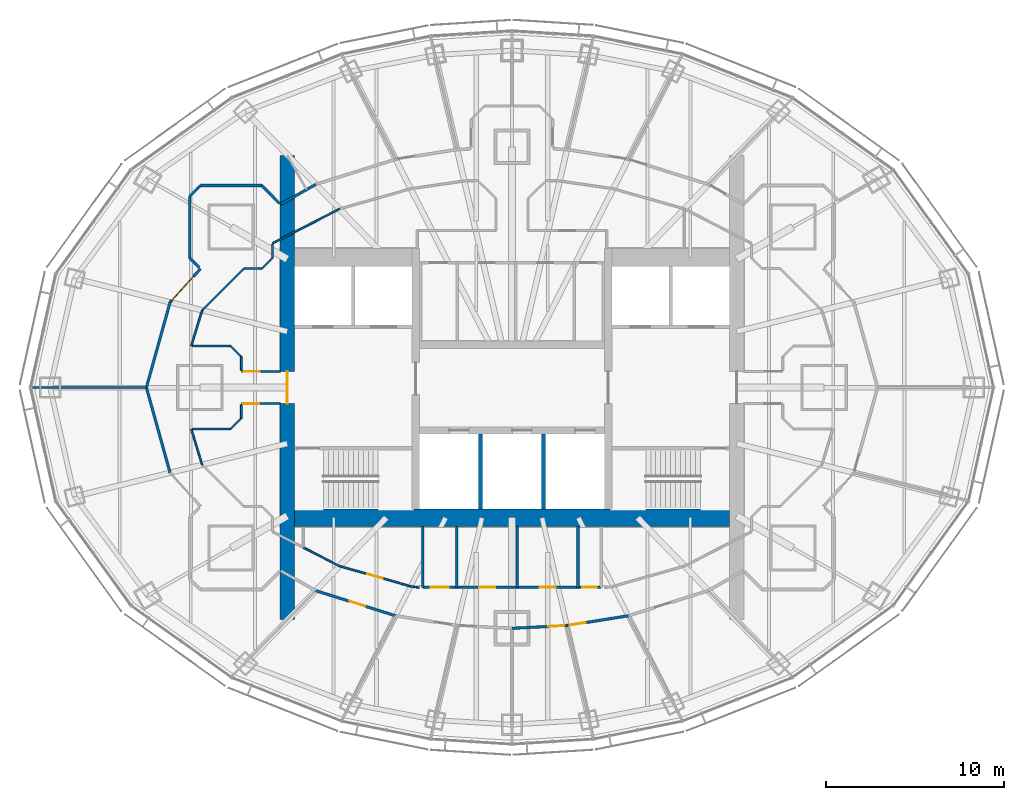
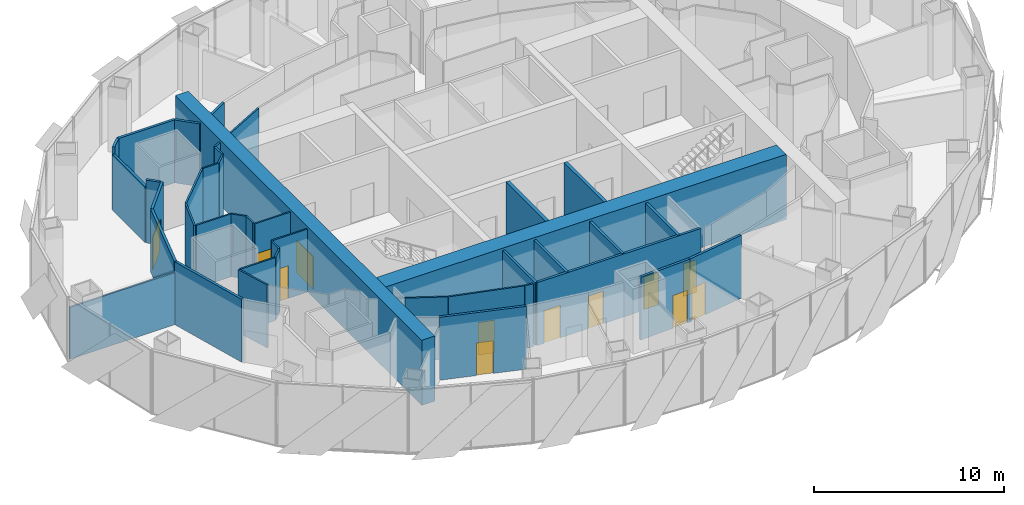
# One storey, part 12 of 18: 40 walls, 12 doors, 12 openings.
"""IFC4 building model written with IfcOpenShell, lengths in metres."""

from ifc_helpers import new_model, si_unit, direction, frame, frame_2d, origin, place, context, subcontext, project, spatial, rectangle, extrude, material, layer, layer_set, type_object, element, fill, save


model = new_model("IFC4")

# Units and contexts
model_context = context("Model", 3, precision=1e-05, world=origin(), true_north=direction((0.0, 1.0)))
body_context = subcontext(model_context, "Body", "Model", "MODEL_VIEW")
ifc_project = project(units=[si_unit("LENGTHUNIT", "METRE"), si_unit("AREAUNIT", "SQUARE_METRE"), si_unit("VOLUMEUNIT", "CUBIC_METRE"), si_unit("PLANEANGLEUNIT", "RADIAN"), si_unit("MASSUNIT", "GRAM", prefix="KILO")], contexts=[model_context])

# Site, building, storey
site_placement = place(None, origin())
site = spatial("IfcSite", under=ifc_project, at=site_placement, CompositionType="ELEMENT")
building_placement = place(site_placement, origin())
building = spatial("IfcBuilding", under=site, at=building_placement, Name="Lantaw Convention Tower", CompositionType="ELEMENT")
storey_placement = place(building_placement, frame((0.0, 0.0, 228.39990234375)))
storey = spatial("IfcBuildingStorey", under=building, at=storey_placement, Name="L53", CompositionType="ELEMENT", Elevation=228.39990234375)

# Wall
ifc_material_1 = material(Name="Concrete C60/75", Category="concrete")
ifc_layer_1 = layer(ifc_material_1, 1.0)
ifc_layer_set_1 = layer_set([ifc_layer_1], Name="Core wall 1000")
wall_type_1 = type_object("IfcWallType", Name="Core wall 1000", PredefinedType="SHEAR", material=ifc_layer_set_1)
wall_1_placement = place(storey_placement, frame((-12.199951171875, -7.300048828125, 0.0), z_axis=(0.0, 0.0, 1.0), x_axis=(1.0, 0.0, 0.0)))
element("IfcWall", 1, at=wall_1_placement, inside=storey, type_object=wall_type_1, Name="Core wall S", PredefinedType="SHEAR", context=body_context, shape_type="SweptSolid", body=[
    extrude(rectangle(XDim=24.39990234375, YDim=1.0, at=frame_2d((12.199951171875, 0.0))), origin(), (0.0, 0.0, 1.0), 4.2001953125),
])

# Wall, opening, door
ifc_layer_2 = layer(ifc_material_1, 0.800048828125)
ifc_layer_set_2 = layer_set([ifc_layer_2], Name="Core wall 800")
wall_type_2 = type_object("IfcWallType", Name="Core wall 800", PredefinedType="SHEAR", material=ifc_layer_set_2)
wall_2_placement = place(storey_placement, frame((-12.60009765625, 13.0, 0.0), z_axis=(0.0, 0.0, 1.0), x_axis=(0.0, -1.0, 0.0)))
wall_2 = element("IfcWall", 2, at=wall_2_placement, inside=storey, type_object=wall_type_2, Name="Core wall W", PredefinedType="SHEAR", context=body_context, shape_type="SweptSolid", body=[
    extrude(rectangle(XDim=26.0, YDim=0.800048828125, at=frame_2d((13.0, 0.0))), origin(), (0.0, 0.0, 1.0), 4.2001953125),
])
opening_1_placement = place(wall_2_placement, frame((12.10009765625, 0.0, 0.0)))
opening_1 = element("IfcOpeningElement", 3, at=opening_1_placement, cuts=wall_2, Name="Opening L53.06", PredefinedType="OPENING", context=body_context, shape_type="SweptSolid", body=[
    extrude(rectangle(XDim=1.800048828125, YDim=2.10009765625, at=frame_2d((0.89990234375, 1.050048828125))), frame((0.0, 0.409912109375, 0.0), z_axis=(0.0, -1.0, 0.0), x_axis=(1.0, 0.0, 0.0)), (0.0, 0.0, 1.0), 0.820068359375),
])
ifc_material_2 = material(Name="Steel, fire rated", Category="steel")
door_type_1 = type_object("IfcDoorType", Name="Lobby double door FD90", OperationType="DOUBLE_DOOR_DOUBLE_SWING", PredefinedType="DOOR", material=ifc_material_2)
door_1_placement = place(opening_1_placement, origin())
door_1 = element("IfcDoor", 4, at=door_1_placement, inside=storey, type_object=door_type_1, Name="Firefighting lobby door", OperationType="DOUBLE_DOOR_DOUBLE_SWING", OverallHeight=2.10009765625, OverallWidth=1.800048828125, PredefinedType="DOOR", context=body_context, shape_type="SweptSolid", body=[
    extrude(rectangle(XDim=1.800048828125, YDim=2.10009765625, at=frame_2d((0.89990234375, 1.050048828125))), frame((0.0, 0.02490234375, 0.0), z_axis=(0.0, -1.0, 0.0), x_axis=(1.0, 0.0, 0.0)), (0.0, 0.0, 1.0), 0.050048828125),
])
fill(opening_1, door_1)

# Walls
ifc_material_3 = material(Name="Gypsum board on steel studs, fire rated", Category="steel")
ifc_layer_3 = layer(ifc_material_3, 0.14990234375)
ifc_layer_set_3 = layer_set([ifc_layer_3], Name="Corridor wall 150 EI 60")
wall_type_3 = type_object("IfcWallType", Name="Corridor wall 150 EI 60", PredefinedType="PARTITIONING", material=ifc_layer_set_3)
for number, where, z_axis, x_axis, name in (
    (5, (-19.171875, 4.780029296875, 0.0), (0.0, 0.0, 1.0), (-0.26770731566, -0.963500281859, 0.0), "Corridor wall 150"),
    (6, (-20.5, 0.0, 0.0), (0.0, 0.0, 1.0), (0.26770731566, -0.963500281859, 0.0), "Corridor wall 150"),
):
    element("IfcWall", number, at=place(storey_placement, frame(where, z_axis=z_axis, x_axis=x_axis)), inside=storey, type_object=wall_type_3, Name=name, PredefinedType="PARTITIONING", context=body_context, shape_type="SweptSolid", body=[
        extrude(rectangle(XDim=4.961181640625, YDim=0.14990234375, at=frame_2d((2.48046875, 0.0))), origin(), (0.0, 0.0, 1.0), 4.050048828125),
    ])

# Wall, opening, door
wall_3_placement = place(storey_placement, frame((-11.000732421875, -11.3916015625, 0.0), z_axis=(0.0, 0.0, 1.0), x_axis=(0.954031103669, -0.299707612903, 0.0)))
wall_3 = element("IfcWall", 7, at=wall_3_placement, inside=storey, type_object=wall_type_3, Name="Corridor wall 150", PredefinedType="PARTITIONING", context=body_context, shape_type="SweptSolid", body=[
    extrude(rectangle(XDim=4.6953125, YDim=0.14990234375, at=frame_2d((2.34765625, 0.0))), origin(), (0.0, 0.0, 1.0), 4.050048828125),
])
opening_2_placement = place(wall_3_placement, frame((2.00048828125, 0.0, 0.0)))
opening_2 = element("IfcOpeningElement", 8, at=opening_2_placement, cuts=wall_3, Name="Opening L53.37", PredefinedType="OPENING", context=body_context, shape_type="SweptSolid", body=[
    extrude(rectangle(XDim=0.89990234375, YDim=2.10009765625, at=frame_2d((0.449951171875, 1.050048828125))), frame((0.0, 0.0849609375, 0.0), z_axis=(0.0, -1.0, 0.0), x_axis=(1.0, 0.0, 0.0)), (0.0, 0.0, 1.0), 0.169921875),
])
door_type_2 = type_object("IfcDoorType", Name="Office door 900 FD30", OperationType="SINGLE_SWING_LEFT", PredefinedType="DOOR", material=ifc_material_2)
door_2_placement = place(opening_2_placement, origin())
door_2 = element("IfcDoor", 9, at=door_2_placement, inside=storey, type_object=door_type_2, Name="Private office door", OperationType="SINGLE_SWING_LEFT", OverallHeight=2.10009765625, OverallWidth=0.89990234375, PredefinedType="DOOR", context=body_context, shape_type="SweptSolid", body=[
    extrude(rectangle(XDim=0.89990234375, YDim=2.10009765625, at=frame_2d((0.449951171875, 1.050048828125))), frame((0.0, 0.02490234375, 0.0), z_axis=(0.0, -1.0, 0.0), x_axis=(1.0, 0.0, 0.0)), (0.0, 0.0, 1.0), 0.050048828125),
])
fill(opening_2, door_2)

wall_4_placement = place(storey_placement, frame((0.0, -13.5, 0.0), z_axis=(0.0, 0.0, 1.0), x_axis=(0.99876434787, 0.049696855278, 0.0)))
wall_4 = element("IfcWall", 10, at=wall_4_placement, inside=storey, type_object=wall_type_3, Name="Corridor wall 150", PredefinedType="PARTITIONING", context=body_context, shape_type="SweptSolid", body=[
    extrude(rectangle(XDim=3.085205078125, YDim=0.14990234375, at=frame_2d((1.54248046875, 0.0))), origin(), (0.0, 0.0, 1.0), 4.050048828125),
])
opening_3_placement = place(wall_4_placement, frame((2.03515625, 0.0, 0.0)))
opening_3 = element("IfcOpeningElement", 11, at=opening_3_placement, cuts=wall_4, Name="Opening L53.40", PredefinedType="OPENING", context=body_context, shape_type="SweptSolid", body=[
    extrude(rectangle(XDim=0.89990234375, YDim=2.10009765625, at=frame_2d((0.449951171875, 1.050048828125))), frame((0.0, 0.0849609375, 0.0), z_axis=(0.0, -1.0, 0.0), x_axis=(1.0, 0.0, 0.0)), (0.0, 0.0, 1.0), 0.169921875),
])
door_3_placement = place(opening_3_placement, origin())
door_3 = element("IfcDoor", 12, at=door_3_placement, inside=storey, type_object=door_type_2, Name="Private office door", OperationType="SINGLE_SWING_LEFT", OverallHeight=2.10009765625, OverallWidth=0.89990234375, PredefinedType="DOOR", context=body_context, shape_type="SweptSolid", body=[
    extrude(rectangle(XDim=0.89990234375, YDim=2.10009765625, at=frame_2d((0.449951171875, 1.050048828125))), frame((0.0, 0.02490234375, 0.0), z_axis=(0.0, -1.0, 0.0), x_axis=(1.0, 0.0, 0.0)), (0.0, 0.0, 1.0), 0.050048828125),
])
fill(opening_3, door_3)

wall_5_placement = place(storey_placement, frame((3.081298828125, -13.3466796875, 0.0), z_axis=(0.0, 0.0, 1.0), x_axis=(0.987554093087, 0.157279729233, 0.0)))
wall_5 = element("IfcWall", 13, at=wall_5_placement, inside=storey, type_object=wall_type_3, Name="Corridor wall 150", PredefinedType="PARTITIONING", context=body_context, shape_type="SweptSolid", body=[
    extrude(rectangle(XDim=3.4833984375, YDim=0.14990234375, at=frame_2d((1.74169921875, 0.0))), origin(), (0.0, 0.0, 1.0), 4.050048828125),
])
opening_4_placement = place(wall_5_placement, frame((0.14990234375, 0.0, 0.0)))
opening_4 = element("IfcOpeningElement", 14, at=opening_4_placement, cuts=wall_5, Name="Opening L53.41", PredefinedType="OPENING", context=body_context, shape_type="SweptSolid", body=[
    extrude(rectangle(XDim=0.89990234375, YDim=2.10009765625, at=frame_2d((0.449951171875, 1.050048828125))), frame((0.0, 0.0849609375, 0.0), z_axis=(0.0, -1.0, 0.0), x_axis=(1.0, 0.0, 0.0)), (0.0, 0.0, 1.0), 0.169921875),
])
door_4_placement = place(opening_4_placement, origin())
door_4 = element("IfcDoor", 15, at=door_4_placement, inside=storey, type_object=door_type_2, Name="Private office door", OperationType="SINGLE_SWING_LEFT", OverallHeight=2.10009765625, OverallWidth=0.89990234375, PredefinedType="DOOR", context=body_context, shape_type="SweptSolid", body=[
    extrude(rectangle(XDim=0.89990234375, YDim=2.10009765625, at=frame_2d((0.449951171875, 1.050048828125))), frame((0.0, 0.02490234375, 0.0), z_axis=(0.0, -1.0, 0.0), x_axis=(1.0, 0.0, 0.0)), (0.0, 0.0, 1.0), 0.050048828125),
])
fill(opening_4, door_4)

# Wall
wall_6_placement = place(storey_placement, frame((-11.000732421875, 11.3916015625, 0.0), z_axis=(0.0, 0.0, 1.0), x_axis=(-0.869722107117, -0.493541747366, 0.0)))
element("IfcWall", 16, at=wall_6_placement, inside=storey, type_object=wall_type_3, Name="Corridor wall 150", PredefinedType="PARTITIONING", context=body_context, shape_type="SweptSolid", body=[
    extrude(rectangle(XDim=2.26953125, YDim=0.14990234375, at=frame_2d((1.134765625, 0.0))), origin(), (0.0, 0.0, 1.0), 4.050048828125),
])

# Wall, opening, door
wall_7_placement = place(storey_placement, frame((-17.462646484375, 6.6650390625, 0.0), z_axis=(0.0, 0.0, 1.0), x_axis=(-0.671721890643, -0.74080341632, 0.0)))
wall_7 = element("IfcWall", 17, at=wall_7_placement, inside=storey, type_object=wall_type_3, Name="Corridor wall 150", PredefinedType="PARTITIONING", context=body_context, shape_type="SweptSolid", body=[
    extrude(rectangle(XDim=2.54443359375, YDim=0.14990234375, at=frame_2d((1.272216796875, 0.0))), origin(), (0.0, 0.0, 1.0), 4.050048828125),
])
opening_5_placement = place(wall_7_placement, frame((0.60009765625, 0.0, 0.0)))
opening_5 = element("IfcOpeningElement", 18, at=opening_5_placement, cuts=wall_7, Name="Opening L53.35", PredefinedType="OPENING", context=body_context, shape_type="SweptSolid", body=[
    extrude(rectangle(XDim=1.800048828125, YDim=2.10009765625, at=frame_2d((0.89990234375, 1.050048828125))), frame((0.0, 0.0849609375, 0.0), z_axis=(0.0, -1.0, 0.0), x_axis=(1.0, 0.0, 0.0)), (0.0, 0.0, 1.0), 0.169921875),
])
door_type_3 = type_object("IfcDoorType", Name="Office double door 1800 FD30", OperationType="DOUBLE_DOOR_DOUBLE_SWING", PredefinedType="DOOR", material=ifc_material_2)
door_5_placement = place(opening_5_placement, origin())
door_5 = element("IfcDoor", 19, at=door_5_placement, inside=storey, type_object=door_type_3, Name="Open office door", OperationType="DOUBLE_DOOR_DOUBLE_SWING", OverallHeight=2.10009765625, OverallWidth=1.800048828125, PredefinedType="DOOR", context=body_context, shape_type="SweptSolid", body=[
    extrude(rectangle(XDim=1.800048828125, YDim=2.10009765625, at=frame_2d((0.89990234375, 1.050048828125))), frame((0.0, 0.02490234375, 0.0), z_axis=(0.0, -1.0, 0.0), x_axis=(1.0, 0.0, 0.0)), (0.0, 0.0, 1.0), 0.050048828125),
])
fill(opening_5, door_5)

# Walls
wall_8_placement = place(storey_placement, frame((-18.074951171875, 10.724609375, 0.0), z_axis=(0.0, 0.0, 1.0), x_axis=(0.707106781187, 0.707106781187, 0.0)))
element("IfcWall", 20, at=wall_8_placement, inside=storey, type_object=wall_type_3, Name="Corridor wall 150", PredefinedType="PARTITIONING", context=body_context, shape_type="SweptSolid", body=[
    extrude(rectangle(XDim=0.84912109375, YDim=0.14990234375, at=frame_2d((0.424560546875, 0.0))), origin(), (0.0, 0.0, 1.0), 4.050048828125),
])
wall_9_placement = place(storey_placement, frame((-17.474609375, 11.324951171875, 0.0), z_axis=(0.0, 0.0, 1.0), x_axis=(1.0, 0.0, 0.0)))
element("IfcWall", 21, at=wall_9_placement, inside=storey, type_object=wall_type_3, Name="Corridor wall 150", PredefinedType="PARTITIONING", context=body_context, shape_type="SweptSolid", body=[
    extrude(rectangle(XDim=3.44921875, YDim=0.14990234375, at=frame_2d((1.724609375, 0.0))), origin(), (0.0, 0.0, 1.0), 4.050048828125),
])
wall_10_placement = place(storey_placement, frame((-14.025390625, 11.324951171875, 0.0), z_axis=(0.0, 0.0, 1.0), x_axis=(0.701113567316, -0.713049623606, 0.0)))
element("IfcWall", 22, at=wall_10_placement, inside=storey, type_object=wall_type_3, Name="Corridor wall 150", PredefinedType="PARTITIONING", context=body_context, shape_type="SweptSolid", body=[
    extrude(rectangle(XDim=1.411376953125, YDim=0.14990234375, at=frame_2d((0.70556640625, 0.0))), origin(), (0.0, 0.0, 1.0), 4.050048828125),
])
wall_11_placement = place(storey_placement, frame((-17.537841796875, 6.73828125, 0.0), z_axis=(0.0, 0.0, 1.0), x_axis=(-0.707106781187, 0.707106781187, 0.0)))
element("IfcWall", 23, at=wall_11_placement, inside=storey, type_object=wall_type_3, Name="Corridor wall 150", PredefinedType="PARTITIONING", context=body_context, shape_type="SweptSolid", body=[
    extrude(rectangle(XDim=0.759521484375, YDim=0.14990234375, at=frame_2d((0.3798828125, 0.0))), origin(), (0.0, 0.0, 1.0), 4.050048828125),
])
wall_12_placement = place(storey_placement, frame((-18.074951171875, 7.275390625, 0.0), z_axis=(0.0, 0.0, 1.0), x_axis=(0.0, 1.0, 0.0)))
element("IfcWall", 24, at=wall_12_placement, inside=storey, type_object=wall_type_3, Name="Corridor wall 150", PredefinedType="PARTITIONING", context=body_context, shape_type="SweptSolid", body=[
    extrude(rectangle(XDim=3.44921875, YDim=0.14990234375, at=frame_2d((1.724609375, 0.0))), origin(), (0.0, 0.0, 1.0), 3.6005859375),
])
ifc_material_4 = material(Name="Gypsum board on steel studs, acoustic", Category="steel")
ifc_layer_4 = layer(ifc_material_4, 0.10009765625)
ifc_layer_set_4 = layer_set([ifc_layer_4], Name="Office partition 100")
wall_type_4 = type_object("IfcWallType", Name="Office partition 100", PredefinedType="PARTITIONING", material=ifc_layer_set_4)
wall_13_placement = place(storey_placement, frame((-26.944091796875, 0.0, 0.0), z_axis=(0.0, 0.0, 1.0), x_axis=(1.0, 0.0, 0.0)))
element("IfcWall", 25, at=wall_13_placement, inside=storey, type_object=wall_type_4, Name="Office partition 100", PredefinedType="PARTITIONING", context=body_context, shape_type="SweptSolid", body=[
    extrude(rectangle(XDim=6.444091796875, YDim=0.10009765625, at=frame_2d((3.22216796875, 0.0))), origin(), (0.0, 0.0, 1.0), 3.34912109375),
])
wall_14_placement = place(storey_placement, frame((-5.199951171875, -11.21630859375, 0.0), z_axis=(0.0, 0.0, 1.0), x_axis=(-0.989797891768, 0.142478536811, 0.0)))
element("IfcWall", 26, at=wall_14_placement, inside=storey, type_object=wall_type_4, Name="Office partition 100", PredefinedType="PARTITIONING", context=body_context, shape_type="SweptSolid", body=[
    extrude(rectangle(XDim=0.48486328125, YDim=0.10009765625, at=frame_2d((0.242431640625, 0.0))), origin(), (0.0, 0.0, 1.0), 4.050048828125),
])

# Wall, opening, door
wall_15_placement = place(storey_placement, frame((-5.679931640625, -11.147216796875, 0.0), z_axis=(0.0, 0.0, 1.0), x_axis=(-0.961973498971, 0.273142796496, 0.0)))
wall_15 = element("IfcWall", 27, at=wall_15_placement, inside=storey, type_object=wall_type_4, Name="Office partition 100", PredefinedType="PARTITIONING", context=body_context, shape_type="SweptSolid", body=[
    extrude(rectangle(XDim=4.148193359375, YDim=0.10009765625, at=frame_2d((2.07421875, 0.0))), origin(), (0.0, 0.0, 1.0), 4.050048828125),
])
opening_6_placement = place(wall_15_placement, frame((1.624267578125, 0.0, 0.0)))
opening_6 = element("IfcOpeningElement", 28, at=opening_6_placement, cuts=wall_15, Name="Opening L53.23", PredefinedType="OPENING", context=body_context, shape_type="SweptSolid", body=[
    extrude(rectangle(XDim=0.89990234375, YDim=2.10009765625, at=frame_2d((0.449951171875, 1.050048828125))), frame((0.0, 0.06005859375, 0.0), z_axis=(0.0, -1.0, 0.0), x_axis=(1.0, 0.0, 0.0)), (0.0, 0.0, 1.0), 0.1201171875),
])
ifc_material_5 = material(Name="Timber", Category="wood")
door_type_4 = type_object("IfcDoorType", Name="Office door 900", OperationType="SINGLE_SWING_LEFT", PredefinedType="DOOR", material=ifc_material_5)
door_6_placement = place(opening_6_placement, origin())
door_6 = element("IfcDoor", 29, at=door_6_placement, inside=storey, type_object=door_type_4, Name="Project room door", OperationType="SINGLE_SWING_LEFT", OverallHeight=2.10009765625, OverallWidth=0.89990234375, PredefinedType="DOOR", context=body_context, shape_type="SweptSolid", body=[
    extrude(rectangle(XDim=0.89990234375, YDim=2.10009765625, at=frame_2d((0.449951171875, 1.050048828125))), frame((0.0, 0.02490234375, 0.0), z_axis=(0.0, -1.0, 0.0), x_axis=(1.0, 0.0, 0.0)), (0.0, 0.0, 1.0), 0.050048828125),
])
fill(opening_6, door_6)

# Walls
wall_16_placement = place(storey_placement, frame((-9.67041015625, -10.01416015625, 0.0), z_axis=(0.0, 0.0, 1.0), x_axis=(-0.889605609385, 0.456729525814, 0.0)))
element("IfcWall", 30, at=wall_16_placement, inside=storey, type_object=wall_type_4, Name="Office partition 100", PredefinedType="PARTITIONING", context=body_context, shape_type="SweptSolid", body=[
    extrude(rectangle(XDim=2.292724609375, YDim=0.10009765625, at=frame_2d((1.146484375, 0.0))), origin(), (0.0, 0.0, 1.0), 4.050048828125),
])
wall_17_placement = place(storey_placement, frame((-17.37158203125, -4.331298828125, 0.0), z_axis=(0.0, 0.0, 1.0), x_axis=(-0.293231279211, 0.956041535129, 0.0)))
element("IfcWall", 31, at=wall_17_placement, inside=storey, type_object=wall_type_4, Name="Office partition 100", PredefinedType="PARTITIONING", context=body_context, shape_type="SweptSolid", body=[
    extrude(rectangle(XDim=2.088134765625, YDim=0.10009765625, at=frame_2d((1.0439453125, 0.0))), origin(), (0.0, 0.0, 1.0), 4.050048828125),
])

# Wall, opening, door
wall_18_placement = place(storey_placement, frame((-15.1650390625, -0.89990234375, 0.0), z_axis=(0.0, 0.0, 1.0), x_axis=(1.0, 0.0, 0.0)))
wall_18 = element("IfcWall", 32, at=wall_18_placement, inside=storey, type_object=wall_type_4, Name="Office partition 100", PredefinedType="PARTITIONING", context=body_context, shape_type="SweptSolid", body=[
    extrude(rectangle(XDim=2.1650390625, YDim=0.10009765625, at=frame_2d((1.08251953125, 0.0))), origin(), (0.0, 0.0, 1.0), 4.050048828125),
])
opening_7_placement = place(wall_18_placement, frame((0.10009765625, 0.0, 0.0)))
opening_7 = element("IfcOpeningElement", 33, at=opening_7_placement, cuts=wall_18, Name="Opening L53.22", PredefinedType="OPENING", context=body_context, shape_type="SweptSolid", body=[
    extrude(rectangle(XDim=0.89990234375, YDim=2.10009765625, at=frame_2d((0.449951171875, 1.050048828125))), frame((0.0, 0.06005859375, 0.0), z_axis=(0.0, -1.0, 0.0), x_axis=(1.0, 0.0, 0.0)), (0.0, 0.0, 1.0), 0.1201171875),
])
door_7_placement = place(opening_7_placement, origin())
door_7 = element("IfcDoor", 34, at=door_7_placement, inside=storey, type_object=door_type_4, Name="Meeting room door", OperationType="SINGLE_SWING_LEFT", OverallHeight=2.10009765625, OverallWidth=0.89990234375, PredefinedType="DOOR", context=body_context, shape_type="SweptSolid", body=[
    extrude(rectangle(XDim=0.89990234375, YDim=2.10009765625, at=frame_2d((0.449951171875, 1.050048828125))), frame((0.0, 0.02490234375, 0.0), z_axis=(0.0, -1.0, 0.0), x_axis=(1.0, 0.0, 0.0)), (0.0, 0.0, 1.0), 0.050048828125),
])
fill(opening_7, door_7)

wall_19_placement = place(storey_placement, frame((-13.0, 0.89990234375, 0.0), z_axis=(0.0, 0.0, 1.0), x_axis=(-1.0, 0.0, 0.0)))
wall_19 = element("IfcWall", 35, at=wall_19_placement, inside=storey, type_object=wall_type_4, Name="Office partition 100", PredefinedType="PARTITIONING", context=body_context, shape_type="SweptSolid", body=[
    extrude(rectangle(XDim=2.1650390625, YDim=0.10009765625, at=frame_2d((1.08251953125, 0.0))), origin(), (0.0, 0.0, 1.0), 4.050048828125),
])
opening_8_placement = place(wall_19_placement, frame((1.14990234375, 0.0, 0.0)))
opening_8 = element("IfcOpeningElement", 36, at=opening_8_placement, cuts=wall_19, Name="Opening L53.27", PredefinedType="OPENING", context=body_context, shape_type="SweptSolid", body=[
    extrude(rectangle(XDim=0.89990234375, YDim=2.10009765625, at=frame_2d((0.449951171875, 1.050048828125))), frame((0.0, 0.06005859375, 0.0), z_axis=(0.0, -1.0, 0.0), x_axis=(1.0, 0.0, 0.0)), (0.0, 0.0, 1.0), 0.1201171875),
])
door_8_placement = place(opening_8_placement, origin())
door_8 = element("IfcDoor", 37, at=door_8_placement, inside=storey, type_object=door_type_4, Name="Project room door", OperationType="SINGLE_SWING_LEFT", OverallHeight=2.10009765625, OverallWidth=0.89990234375, PredefinedType="DOOR", context=body_context, shape_type="SweptSolid", body=[
    extrude(rectangle(XDim=0.89990234375, YDim=2.10009765625, at=frame_2d((0.449951171875, 1.050048828125))), frame((0.0, 0.02490234375, 0.0), z_axis=(0.0, -1.0, 0.0), x_axis=(1.0, 0.0, 0.0)), (0.0, 0.0, 1.0), 0.050048828125),
])
fill(opening_8, door_8)

# Walls
wall_20_placement = place(storey_placement, frame((-17.98388671875, 2.3349609375, 0.0), z_axis=(0.0, 0.0, 1.0), x_axis=(0.293231279211, 0.956041535129, 0.0)))
element("IfcWall", 38, at=wall_20_placement, inside=storey, type_object=wall_type_4, Name="Office partition 100", PredefinedType="PARTITIONING", context=body_context, shape_type="SweptSolid", body=[
    extrude(rectangle(XDim=2.088134765625, YDim=0.10009765625, at=frame_2d((1.0439453125, 0.0))), origin(), (0.0, 0.0, 1.0), 4.050048828125),
])
wall_21_placement = place(storey_placement, frame((-15.175048828125, -0.978271484375, 0.0), z_axis=(0.0, 0.0, 1.0), x_axis=(0.0, -1.0, 0.0)))
element("IfcWall", 39, at=wall_21_placement, inside=storey, type_object=wall_type_4, Name="Office partition 100", PredefinedType="PARTITIONING", context=body_context, shape_type="SweptSolid", body=[
    extrude(rectangle(XDim=0.746337890625, YDim=0.10009765625, at=frame_2d((0.373046875, 0.0))), origin(), (0.0, 0.0, 1.0), 4.050048828125),
])
wall_22_placement = place(storey_placement, frame((-15.175048828125, -1.724609375, 0.0), z_axis=(0.0, 0.0, 1.0), x_axis=(-0.707106781187, -0.707106781187, 0.0)))
element("IfcWall", 40, at=wall_22_placement, inside=storey, type_object=wall_type_4, Name="Office partition 100", PredefinedType="PARTITIONING", context=body_context, shape_type="SweptSolid", body=[
    extrude(rectangle(XDim=0.84912109375, YDim=0.10009765625, at=frame_2d((0.424560546875, 0.0))), origin(), (0.0, 0.0, 1.0), 4.050048828125),
])
for number, where, z_axis, x_axis, name in (
    (41, (-15.775390625, -2.324951171875, 0.0), (0.0, 0.0, 1.0), (-1.0, 0.0, 0.0), "Office partition 100"),
    (42, (-17.903076171875, 2.324951171875, 0.0), (0.0, 0.0, 1.0), (1.0, 0.0, 0.0), "Office partition 100"),
):
    element("IfcWall", number, at=place(storey_placement, frame(where, z_axis=z_axis, x_axis=x_axis)), inside=storey, type_object=wall_type_4, Name=name, PredefinedType="PARTITIONING", context=body_context, shape_type="SweptSolid", body=[
        extrude(rectangle(XDim=2.127685546875, YDim=0.10009765625, at=frame_2d((1.06396484375, 0.0))), origin(), (0.0, 0.0, 1.0), 4.050048828125),
    ])
wall_23_placement = place(storey_placement, frame((-15.775390625, 2.324951171875, 0.0), z_axis=(0.0, 0.0, 1.0), x_axis=(0.707106781187, -0.707106781187, 0.0)))
element("IfcWall", 43, at=wall_23_placement, inside=storey, type_object=wall_type_4, Name="Office partition 100", PredefinedType="PARTITIONING", context=body_context, shape_type="SweptSolid", body=[
    extrude(rectangle(XDim=0.84912109375, YDim=0.10009765625, at=frame_2d((0.424560546875, 0.0))), origin(), (0.0, 0.0, 1.0), 4.050048828125),
])
wall_24_placement = place(storey_placement, frame((-15.175048828125, 1.724609375, 0.0), z_axis=(0.0, 0.0, 1.0), x_axis=(0.0, -1.0, 0.0)))
element("IfcWall", 44, at=wall_24_placement, inside=storey, type_object=wall_type_4, Name="Office partition 100", PredefinedType="PARTITIONING", context=body_context, shape_type="SweptSolid", body=[
    extrude(rectangle(XDim=0.746337890625, YDim=0.10009765625, at=frame_2d((0.373046875, 0.0))), origin(), (0.0, 0.0, 1.0), 4.050048828125),
])
wall_25_placement = place(storey_placement, frame((-17.37158203125, 4.331298828125, 0.0), z_axis=(0.0, 0.0, 1.0), x_axis=(0.707587114823, 0.70662612104, 0.0)))
element("IfcWall", 45, at=wall_25_placement, inside=storey, type_object=wall_type_4, Name="Office partition 100", PredefinedType="PARTITIONING", context=body_context, shape_type="SweptSolid", body=[
    extrude(rectangle(XDim=3.302734375, YDim=0.10009765625, at=frame_2d((1.6513671875, 0.0))), origin(), (0.0, 0.0, 1.0), 4.050048828125),
])
wall_26_placement = place(storey_placement, frame((-13.4150390625, 8.091796875, 0.0), z_axis=(0.0, 0.0, 1.0), x_axis=(0.889620520549, 0.45670048108, 0.0)))
element("IfcWall", 46, at=wall_26_placement, inside=storey, type_object=wall_type_4, Name="Office partition 100", PredefinedType="PARTITIONING", context=body_context, shape_type="SweptSolid", body=[
    extrude(rectangle(XDim=4.209228515625, YDim=0.10009765625, at=frame_2d((2.1044921875, 0.0))), origin(), (0.0, 0.0, 1.0), 4.050048828125),
])
wall_27_placement = place(storey_placement, frame((-13.425048828125, 8.045654296875, 0.0), z_axis=(0.0, 0.0, 1.0), x_axis=(0.0, -1.0, 0.0)))
element("IfcWall", 47, at=wall_27_placement, inside=storey, type_object=wall_type_4, Name="Office partition 100", PredefinedType="PARTITIONING", context=body_context, shape_type="SweptSolid", body=[
    extrude(rectangle(XDim=0.770263671875, YDim=0.10009765625, at=frame_2d((0.38525390625, 0.0))), origin(), (0.0, 0.0, 1.0), 4.050048828125),
])
wall_28_placement = place(storey_placement, frame((-13.425048828125, 7.275390625, 0.0), z_axis=(0.0, 0.0, 1.0), x_axis=(-0.707106781187, -0.707106781187, 0.0)))
element("IfcWall", 48, at=wall_28_placement, inside=storey, type_object=wall_type_4, Name="Office partition 100", PredefinedType="PARTITIONING", context=body_context, shape_type="SweptSolid", body=[
    extrude(rectangle(XDim=0.84912109375, YDim=0.10009765625, at=frame_2d((0.424560546875, 0.0))), origin(), (0.0, 0.0, 1.0), 4.050048828125),
])
wall_29_placement = place(storey_placement, frame((-14.025390625, 6.675048828125, 0.0), z_axis=(0.0, 0.0, 1.0), x_axis=(-1.0, 0.0, 0.0)))
element("IfcWall", 49, at=wall_29_placement, inside=storey, type_object=wall_type_4, Name="Office partition 100", PredefinedType="PARTITIONING", context=body_context, shape_type="SweptSolid", body=[
    extrude(rectangle(XDim=0.976806640625, YDim=0.10009765625, at=frame_2d((0.48828125, 0.0))), origin(), (0.0, 0.0, 1.0), 4.050048828125),
])
ifc_material_6 = material(Name="Concrete blockwork, fire rated", Category="masonry")
ifc_layer_5 = layer(ifc_material_6, 0.199951171875)
ifc_layer_set_5 = layer_set([ifc_layer_5], Name="Shaft wall 200 load-bearing")
wall_type_5 = type_object("IfcWallType", Name="Shaft wall 200 load-bearing", PredefinedType="SOLIDWALL", material=ifc_layer_set_5)
for number, where, z_axis, x_axis, name in (
    (50, (-1.7666015625, -2.60009765625, 0.0), (0.0, 0.0, 1.0), (0.0, -1.0, 0.0), "Shaft wall DS1"),
    (51, (1.7666015625, -2.60009765625, 0.0), (0.0, 0.0, 1.0), (0.0, -1.0, 0.0), "Shaft wall DS2"),
):
    element("IfcWall", number, at=place(storey_placement, frame(where, z_axis=z_axis, x_axis=x_axis)), inside=storey, type_object=wall_type_5, Name=name, PredefinedType="SOLIDWALL", context=body_context, shape_type="SweptSolid", body=[
        extrude(rectangle(XDim=4.199951171875, YDim=0.199951171875, at=frame_2d((2.10009765625, 0.0))), origin(), (0.0, 0.0, 1.0), 4.2001953125),
    ])

# Wall, openings, doors
ifc_material_7 = material(Name="Concrete blockwork", Category="masonry")
ifc_layer_6 = layer(ifc_material_7, 0.14990234375)
ifc_layer_set_6 = layer_set([ifc_layer_6], Name="WC wall 150")
wall_type_6 = type_object("IfcWallType", Name="WC wall 150", PredefinedType="SOLIDWALL", material=ifc_layer_set_6)
wall_30_placement = place(storey_placement, frame((-5.0, -11.199951171875, 0.0), z_axis=(0.0, 0.0, 1.0), x_axis=(1.0, 0.0, 0.0)))
wall_30 = element("IfcWall", 52, at=wall_30_placement, inside=storey, type_object=wall_type_6, Name="WC wall 150", PredefinedType="SOLIDWALL", context=body_context, shape_type="SweptSolid", body=[
    extrude(rectangle(XDim=10.0, YDim=0.14990234375, at=frame_2d((5.0, 0.0))), origin(), (0.0, 0.0, 1.0), 4.050048828125),
])
opening_9_placement = place(wall_30_placement, frame((0.449951171875, 0.0, 0.0)))
opening_9 = element("IfcOpeningElement", 53, at=opening_9_placement, cuts=wall_30, Name="Opening L53.18", PredefinedType="OPENING", context=body_context, shape_type="SweptSolid", body=[
    extrude(rectangle(XDim=1.0, YDim=2.10009765625, at=frame_2d((0.5, 1.050048828125))), frame((0.0, 0.0849609375, 0.0), z_axis=(0.0, -1.0, 0.0), x_axis=(1.0, 0.0, 0.0)), (0.0, 0.0, 1.0), 0.169921875),
])
opening_10_placement = place(wall_30_placement, frame((3.14990234375, 0.0, 0.0)))
opening_10 = element("IfcOpeningElement", 54, at=opening_10_placement, cuts=wall_30, Name="Opening L53.19", PredefinedType="OPENING", context=body_context, shape_type="SweptSolid", body=[
    extrude(rectangle(XDim=0.89990234375, YDim=2.10009765625, at=frame_2d((0.449951171875, 1.050048828125))), frame((0.0, 0.0849609375, 0.0), z_axis=(0.0, -1.0, 0.0), x_axis=(1.0, 0.0, 0.0)), (0.0, 0.0, 1.0), 0.169921875),
])
opening_11_placement = place(wall_30_placement, frame((6.550048828125, 0.0, 0.0)))
opening_11 = element("IfcOpeningElement", 55, at=opening_11_placement, cuts=wall_30, Name="Opening L53.20", PredefinedType="OPENING", context=body_context, shape_type="SweptSolid", body=[
    extrude(rectangle(XDim=0.89990234375, YDim=2.10009765625, at=frame_2d((0.449951171875, 1.050048828125))), frame((0.0, 0.0849609375, 0.0), z_axis=(0.0, -1.0, 0.0), x_axis=(1.0, 0.0, 0.0)), (0.0, 0.0, 1.0), 0.169921875),
])
opening_12_placement = place(wall_30_placement, frame((8.949951171875, 0.0, 0.0)))
opening_12 = element("IfcOpeningElement", 56, at=opening_12_placement, cuts=wall_30, Name="Opening L53.21", PredefinedType="OPENING", context=body_context, shape_type="SweptSolid", body=[
    extrude(rectangle(XDim=0.800048828125, YDim=2.10009765625, at=frame_2d((0.39990234375, 1.050048828125))), frame((0.0, 0.0849609375, 0.0), z_axis=(0.0, -1.0, 0.0), x_axis=(1.0, 0.0, 0.0)), (0.0, 0.0, 1.0), 0.169921875),
])
door_type_5 = type_object("IfcDoorType", Name="Accessible WC door 1000", OperationType="SINGLE_SWING_LEFT", PredefinedType="DOOR", material=ifc_material_5)
door_9_placement = place(opening_9_placement, origin())
door_9 = element("IfcDoor", 57, at=door_9_placement, inside=storey, type_object=door_type_5, Name="Accessible WC door", OperationType="SINGLE_SWING_LEFT", OverallHeight=2.10009765625, OverallWidth=1.0, PredefinedType="DOOR", context=body_context, shape_type="SweptSolid", body=[
    extrude(rectangle(XDim=1.0, YDim=2.10009765625, at=frame_2d((0.5, 1.050048828125))), frame((0.0, 0.02490234375, 0.0), z_axis=(0.0, -1.0, 0.0), x_axis=(1.0, 0.0, 0.0)), (0.0, 0.0, 1.0), 0.050048828125),
])
fill(opening_9, door_9)
door_type_6 = type_object("IfcDoorType", Name="WC door 800", OperationType="SINGLE_SWING_LEFT", PredefinedType="DOOR", material=ifc_material_5)
door_10_placement = place(opening_12_placement, origin())
door_10 = element("IfcDoor", 58, at=door_10_placement, inside=storey, type_object=door_type_6, Name="Pantry door", OperationType="SINGLE_SWING_LEFT", OverallHeight=2.10009765625, OverallWidth=0.800048828125, PredefinedType="DOOR", context=body_context, shape_type="SweptSolid", body=[
    extrude(rectangle(XDim=0.800048828125, YDim=2.10009765625, at=frame_2d((0.39990234375, 1.050048828125))), frame((0.0, 0.02490234375, 0.0), z_axis=(0.0, -1.0, 0.0), x_axis=(1.0, 0.0, 0.0)), (0.0, 0.0, 1.0), 0.050048828125),
])
fill(opening_12, door_10)
door_type_7 = type_object("IfcDoorType", Name="WC door 900", OperationType="SINGLE_SWING_LEFT", PredefinedType="DOOR", material=ifc_material_5)
door_11_placement = place(opening_10_placement, origin())
door_11 = element("IfcDoor", 59, at=door_11_placement, inside=storey, type_object=door_type_7, Name="Male WC door", OperationType="SINGLE_SWING_LEFT", OverallHeight=2.10009765625, OverallWidth=0.89990234375, PredefinedType="DOOR", context=body_context, shape_type="SweptSolid", body=[
    extrude(rectangle(XDim=0.89990234375, YDim=2.10009765625, at=frame_2d((0.449951171875, 1.050048828125))), frame((0.0, 0.02490234375, 0.0), z_axis=(0.0, -1.0, 0.0), x_axis=(1.0, 0.0, 0.0)), (0.0, 0.0, 1.0), 0.050048828125),
])
fill(opening_10, door_11)
door_12_placement = place(opening_11_placement, origin())
door_12 = element("IfcDoor", 60, at=door_12_placement, inside=storey, type_object=door_type_7, Name="Female WC door", OperationType="SINGLE_SWING_LEFT", OverallHeight=2.10009765625, OverallWidth=0.89990234375, PredefinedType="DOOR", context=body_context, shape_type="SweptSolid", body=[
    extrude(rectangle(XDim=0.89990234375, YDim=2.10009765625, at=frame_2d((0.449951171875, 1.050048828125))), frame((0.0, 0.02490234375, 0.0), z_axis=(0.0, -1.0, 0.0), x_axis=(1.0, 0.0, 0.0)), (0.0, 0.0, 1.0), 0.050048828125),
])
fill(opening_11, door_12)

# Walls
for number, where, z_axis, x_axis, name in (
    (61, (-5.0, -7.800048828125, 0.0), (0.0, 0.0, 1.0), (0.0, -1.0, 0.0), "WC wall 150"),
    (62, (-3.10009765625, -7.800048828125, 0.0), (0.0, 0.0, 1.0), (0.0, -1.0, 0.0), "WC wall 150"),
    (63, (0.300048828125, -7.800048828125, 0.0), (0.0, 0.0, 1.0), (0.0, -1.0, 0.0), "WC wall 150"),
    (64, (3.699951171875, -7.800048828125, 0.0), (0.0, 0.0, 1.0), (0.0, -1.0, 0.0), "WC wall 150"),
):
    element("IfcWall", number, at=place(storey_placement, frame(where, z_axis=z_axis, x_axis=x_axis)), inside=storey, type_object=wall_type_6, Name=name, PredefinedType="SOLIDWALL", context=body_context, shape_type="SweptSolid", body=[
        extrude(rectangle(XDim=3.39990234375, YDim=0.14990234375, at=frame_2d((1.699951171875, 0.0))), origin(), (0.0, 0.0, 1.0), 4.050048828125),
    ])

save(model, "model.ifc")
